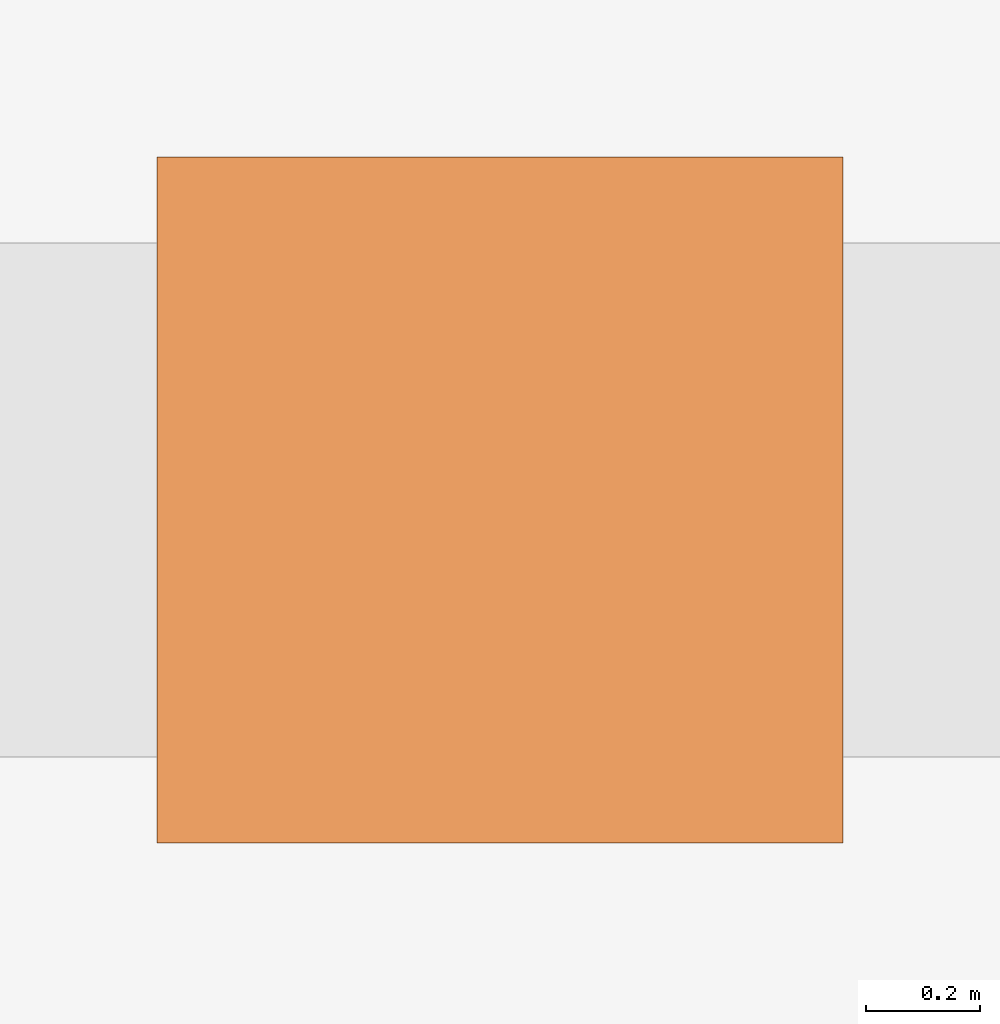
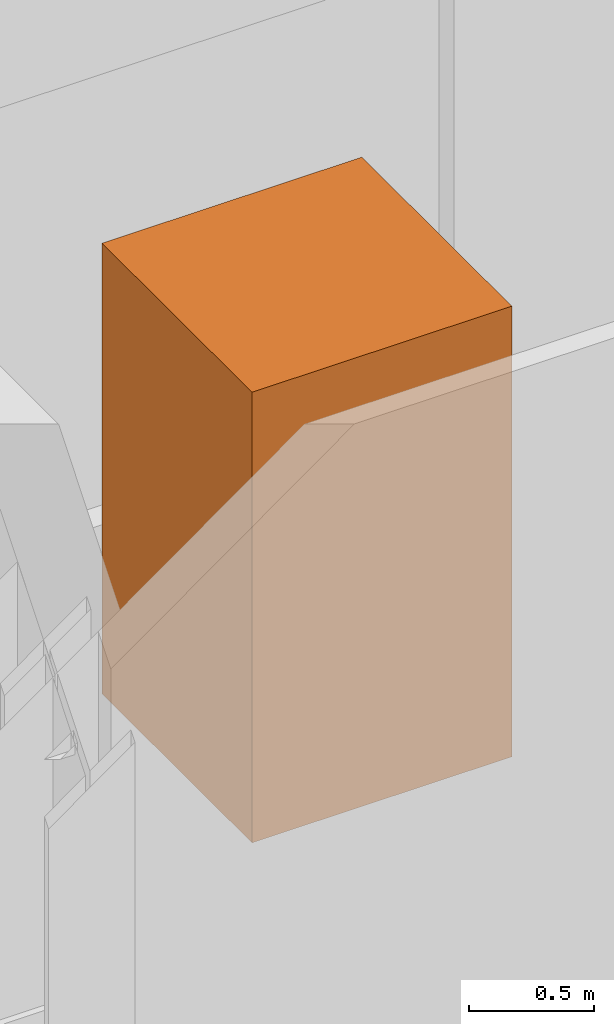
# One storey, part 10 of 10: 1 geographic element.
"""IFC4 building model written with IfcOpenShell, lengths in metres."""

from ifc_helpers import new_model, si_unit, direction, frame, origin, origin_2d, place, context, subcontext, project, spatial, rectangle, extrude, material, type_object, element, save


model = new_model("IFC4")

# Units and contexts
model_context = context("Model", 3, precision=1e-05, world=origin(), true_north=direction((0.0, 1.0)))
body_context = subcontext(model_context, "Body", "Model", "MODEL_VIEW")
ifc_project = project(units=[si_unit("LENGTHUNIT", "METRE"), si_unit("AREAUNIT", "SQUARE_METRE"), si_unit("VOLUMEUNIT", "CUBIC_METRE"), si_unit("PLANEANGLEUNIT", "RADIAN"), si_unit("MASSUNIT", "GRAM", prefix="KILO")], contexts=[model_context])

# Site, building, storey
site_placement = place(None, origin())
site = spatial("IfcSite", under=ifc_project, at=site_placement, CompositionType="ELEMENT")
building_placement = place(site_placement, origin())
building = spatial("IfcBuilding", under=site, at=building_placement, Name="Immortelle Media Tower", CompositionType="ELEMENT")
storey_placement = place(building_placement, frame((0.0, 0.0, 283.0)))
storey = spatial("IfcBuildingStorey", under=building, at=storey_placement, Name="L62", CompositionType="ELEMENT", Elevation=283.0)

# Geographic element
ifc_material = material(Name="Tree canopy foliage")
geographic_element_type = type_object("IfcGeographicElementType", Name="Tree", PredefinedType="USERDEFINED", material=ifc_material)
geographic_element_placement = place(storey_placement, frame((26.0, 1.550048828125, 0.60009765625), z_axis=(0.0, 0.0, 1.0), x_axis=(1.0, 0.0, 0.0)))
element("IfcGeographicElement", 1, at=geographic_element_placement, inside=storey, type_object=geographic_element_type, Name="Tree L62 S2", ObjectType="Tree", PredefinedType="USERDEFINED", context=body_context, shape_type="SweptSolid", body=[
    extrude(rectangle(XDim=1.199951171875, YDim=1.199951171875, at=origin_2d()), origin(), (0.0, 0.0, 1.0), 2.199951171875),
])

save(model, "model.ifc")
